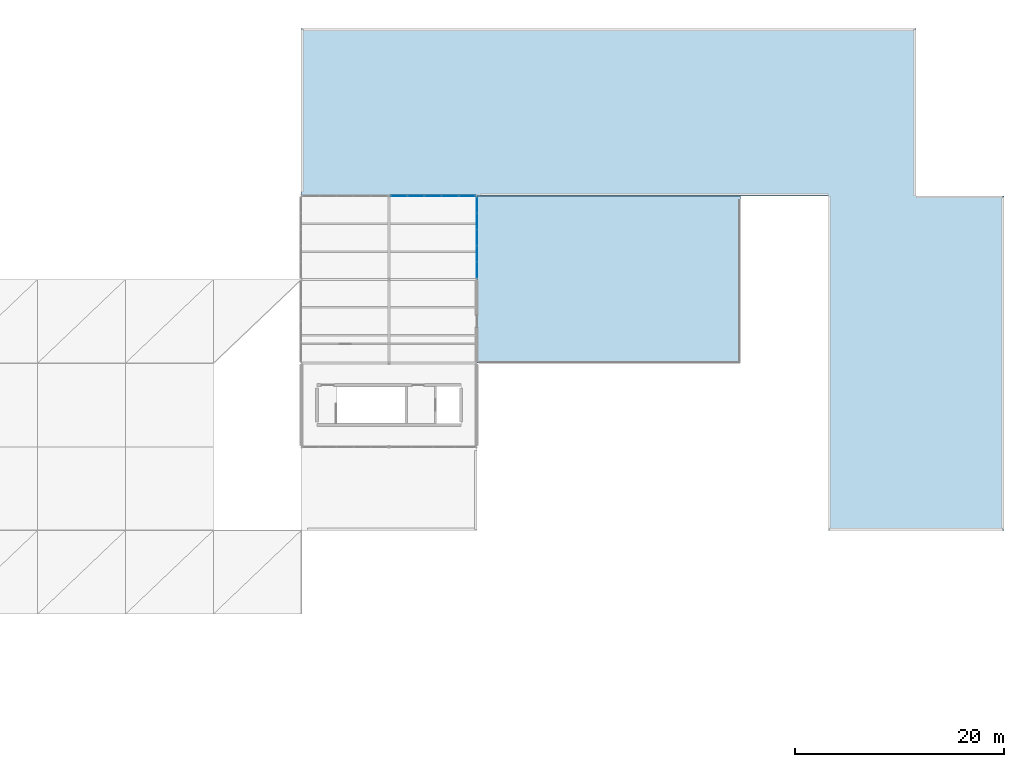
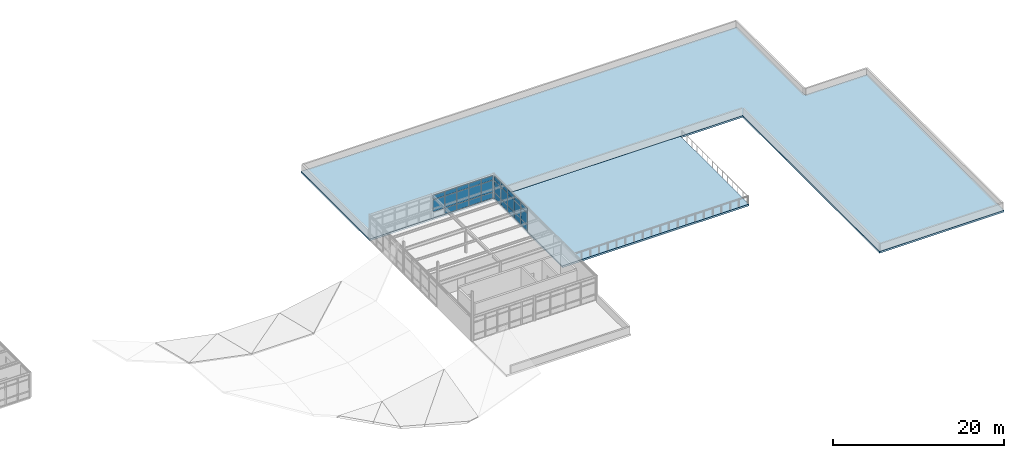
# One storey, part 22 of 32: 29 plates, 2 slabs, 2 elements without a shape of their own.
"""IFC4 building model written with IfcOpenShell, lengths in metres."""

from ifc_helpers import new_model, si_unit, direction, frame, origin, origin_2d, place, context, subcontext, project, spatial, polyline, rectangle, outline, extrude, material, layer, layer_set, type_object, element, aggregate, save


model = new_model("IFC4")

# Units and contexts
model_context = context("Model", 3, precision=1e-05, world=origin(), true_north=direction((0.0, 1.0)))
body_context = subcontext(model_context, "Body", "Model", "MODEL_VIEW")
ifc_project = project(units=[si_unit("LENGTHUNIT", "METRE"), si_unit("AREAUNIT", "SQUARE_METRE"), si_unit("VOLUMEUNIT", "CUBIC_METRE"), si_unit("PLANEANGLEUNIT", "RADIAN"), si_unit("MASSUNIT", "GRAM", prefix="KILO")], contexts=[model_context])

# Site, building, storey
site_placement = place(None, origin())
site = spatial("IfcSite", under=ifc_project, at=site_placement, CompositionType="ELEMENT")
building_placement = place(site_placement, origin())
building = spatial("IfcBuilding", under=site, at=building_placement, Name="Kranzveld Transit Interchange", CompositionType="ELEMENT")
storey_placement = place(building_placement, frame((0.0, 0.0, 17.199951171875)))
storey = spatial("IfcBuildingStorey", under=building, at=storey_placement, Name="L04", CompositionType="ELEMENT", Elevation=17.199951171875)

# Slab
ifc_material_1 = material(Name="Concrete C35/45", Category="concrete")
ifc_layer_1 = layer(ifc_material_1, 0.260009765625)
ifc_layer_set_1 = layer_set([ifc_layer_1], Name="Concrete C35/45")
slab_type_1 = type_object("IfcSlabType", Name="Community Roof Slab 260 C35/45", PredefinedType="ROOF", material=ifc_layer_set_1)
slab_1_placement = place(storey_placement, frame((0.0, 0.0, -0.260009765625)))
element("IfcSlab", 1, at=slab_1_placement, inside=storey, type_object=slab_type_1, Name="L04 Flat Roof Slab 3", PredefinedType="ROOF", context=body_context, shape_type="SweptSolid", body=[
    extrude(outline(polyline([(168.0, 64.0), (151.199951171875, 64.0), (151.199951171875, 96.0), (142.800048828125, 96.0), (117.60009765625, 96.0), (100.800048828125, 96.0), (100.800048828125, 112.0), (117.60009765625, 112.0), (159.60009765625, 112.0), (159.60009765625, 96.0), (168.0, 96.0), (168.0, 64.0)])), origin(), (0.0, 0.0, 1.0), 0.260009765625),
])

# Curtain wall, plates
ifc_material_2 = material(Name="Bronze-anodised thermally broken aluminium", Category="aluminium")
ifc_layer_2 = layer(ifc_material_2, 0.18505859375)
ifc_layer_set_2 = layer_set([ifc_layer_2], Name="Bronze-anodised thermally broken aluminium")
curtain_wall_type_1 = type_object("IfcCurtainWallType", Name="Control Crown Observation Facade CW-5", PredefinedType="USERDEFINED", material=ifc_layer_set_2)
curtain_wall_1_placement = place(storey_placement, origin())
curtain_wall_1 = element("IfcCurtainWall", 2, at=curtain_wall_1_placement, inside=storey, type_object=curtain_wall_type_1, Name="L04 Curtain Wall 14/N-15/N", ObjectType="CURTAIN WALL", PredefinedType="USERDEFINED")
ifc_material_3 = material(Name="Solar-control double glazing", Category="glass")
ifc_layer_3 = layer(ifc_material_3, 0.035888671875)
ifc_layer_set_3 = layer_set([ifc_layer_3], Name="Solar-control double glazing")
plate_type_1 = type_object("IfcPlateType", Name="Curtain Panel Triple Glazing 36", PredefinedType="CURTAIN_PANEL", material=ifc_layer_set_3)
plate_1_placement = place(storey_placement, frame((110.138671875, 96.0, 0.9326171875), z_axis=(0.0, 0.0, 1.0), x_axis=(1.0, 0.0, 0.0)))
plate_1 = element("IfcPlate", 3, at=plate_1_placement, type_object=plate_type_1, Name="CW-5 panel 1.2", PredefinedType="CURTAIN_PANEL", context=body_context, shape_type="SweptSolid", body=[
    extrude(rectangle(XDim=1.541259765625, YDim=0.035888671875, at=origin_2d()), origin(), (0.0, 0.0, 1.0), 1.6650390625),
])
plate_2_placement = place(storey_placement, frame((110.138671875, 96.0, 2.66259765625), z_axis=(0.0, 0.0, 1.0), x_axis=(1.0, 0.0, 0.0)))
plate_2 = element("IfcPlate", 4, at=plate_2_placement, type_object=plate_type_1, Name="CW-5 panel 1.3", PredefinedType="CURTAIN_PANEL", context=body_context, shape_type="SweptSolid", body=[
    extrude(rectangle(XDim=1.541259765625, YDim=0.035888671875, at=origin_2d()), origin(), (0.0, 0.0, 1.0), 0.6025390625),
])
plate_3_placement = place(storey_placement, frame((111.76123046875, 96.0, 0.06494140625), z_axis=(0.0, 0.0, 1.0), x_axis=(1.0, 0.0, 0.0)))
plate_3 = element("IfcPlate", 5, at=plate_3_placement, type_object=plate_type_1, Name="CW-5 panel 2.1", PredefinedType="CURTAIN_PANEL", context=body_context, shape_type="SweptSolid", body=[
    extrude(rectangle(XDim=1.57373046875, YDim=0.035888671875, at=origin_2d()), origin(), (0.0, 0.0, 1.0), 0.802490234375),
])
plate_4_placement = place(storey_placement, frame((111.76123046875, 96.0, 0.9326171875), z_axis=(0.0, 0.0, 1.0), x_axis=(1.0, 0.0, 0.0)))
plate_4 = element("IfcPlate", 6, at=plate_4_placement, type_object=plate_type_1, Name="CW-5 panel 2.2", PredefinedType="CURTAIN_PANEL", context=body_context, shape_type="SweptSolid", body=[
    extrude(rectangle(XDim=1.57373046875, YDim=0.035888671875, at=origin_2d()), origin(), (0.0, 0.0, 1.0), 1.6650390625),
])
plate_5_placement = place(storey_placement, frame((111.76123046875, 96.0, 2.66259765625), z_axis=(0.0, 0.0, 1.0), x_axis=(1.0, 0.0, 0.0)))
plate_5 = element("IfcPlate", 7, at=plate_5_placement, type_object=plate_type_1, Name="CW-5 panel 2.3", PredefinedType="CURTAIN_PANEL", context=body_context, shape_type="SweptSolid", body=[
    extrude(rectangle(XDim=1.57373046875, YDim=0.035888671875, at=origin_2d()), origin(), (0.0, 0.0, 1.0), 0.6025390625),
])
plate_6_placement = place(storey_placement, frame((113.39990234375, 96.0, 0.06494140625), z_axis=(0.0, 0.0, 1.0), x_axis=(1.0, 0.0, 0.0)))
plate_6 = element("IfcPlate", 8, at=plate_6_placement, type_object=plate_type_1, Name="CW-5 panel 3.1", PredefinedType="CURTAIN_PANEL", context=body_context, shape_type="SweptSolid", body=[
    extrude(rectangle(XDim=1.57373046875, YDim=0.035888671875, at=origin_2d()), origin(), (0.0, 0.0, 1.0), 0.802490234375),
])
plate_7_placement = place(storey_placement, frame((113.39990234375, 96.0, 0.9326171875), z_axis=(0.0, 0.0, 1.0), x_axis=(1.0, 0.0, 0.0)))
plate_7 = element("IfcPlate", 9, at=plate_7_placement, type_object=plate_type_1, Name="CW-5 panel 3.2", PredefinedType="CURTAIN_PANEL", context=body_context, shape_type="SweptSolid", body=[
    extrude(rectangle(XDim=1.57373046875, YDim=0.035888671875, at=origin_2d()), origin(), (0.0, 0.0, 1.0), 1.6650390625),
])
plate_8_placement = place(storey_placement, frame((113.39990234375, 96.0, 2.66259765625), z_axis=(0.0, 0.0, 1.0), x_axis=(1.0, 0.0, 0.0)))
plate_8 = element("IfcPlate", 10, at=plate_8_placement, type_object=plate_type_1, Name="CW-5 panel 3.3", PredefinedType="CURTAIN_PANEL", context=body_context, shape_type="SweptSolid", body=[
    extrude(rectangle(XDim=1.57373046875, YDim=0.035888671875, at=origin_2d()), origin(), (0.0, 0.0, 1.0), 0.6025390625),
])
plate_9_placement = place(storey_placement, frame((115.038818359375, 96.0, 0.06494140625), z_axis=(0.0, 0.0, 1.0), x_axis=(1.0, 0.0, 0.0)))
plate_9 = element("IfcPlate", 11, at=plate_9_placement, type_object=plate_type_1, Name="CW-5 panel 4.1", PredefinedType="CURTAIN_PANEL", context=body_context, shape_type="SweptSolid", body=[
    extrude(rectangle(XDim=1.57373046875, YDim=0.035888671875, at=origin_2d()), origin(), (0.0, 0.0, 1.0), 0.802490234375),
])
plate_10_placement = place(storey_placement, frame((115.038818359375, 96.0, 0.9326171875), z_axis=(0.0, 0.0, 1.0), x_axis=(1.0, 0.0, 0.0)))
plate_10 = element("IfcPlate", 12, at=plate_10_placement, type_object=plate_type_1, Name="CW-5 panel 4.2", PredefinedType="CURTAIN_PANEL", context=body_context, shape_type="SweptSolid", body=[
    extrude(rectangle(XDim=1.57373046875, YDim=0.035888671875, at=origin_2d()), origin(), (0.0, 0.0, 1.0), 1.6650390625),
])
plate_11_placement = place(storey_placement, frame((115.038818359375, 96.0, 2.66259765625), z_axis=(0.0, 0.0, 1.0), x_axis=(1.0, 0.0, 0.0)))
plate_11 = element("IfcPlate", 13, at=plate_11_placement, type_object=plate_type_1, Name="CW-5 panel 4.3", PredefinedType="CURTAIN_PANEL", context=body_context, shape_type="SweptSolid", body=[
    extrude(rectangle(XDim=1.57373046875, YDim=0.035888671875, at=origin_2d()), origin(), (0.0, 0.0, 1.0), 0.6025390625),
])
plate_12_placement = place(storey_placement, frame((116.661376953125, 96.0, 0.06494140625), z_axis=(0.0, 0.0, 1.0), x_axis=(1.0, 0.0, 0.0)))
plate_12 = element("IfcPlate", 14, at=plate_12_placement, type_object=plate_type_1, Name="CW-5 panel 5.1", PredefinedType="CURTAIN_PANEL", context=body_context, shape_type="SweptSolid", body=[
    extrude(rectangle(XDim=1.541259765625, YDim=0.035888671875, at=origin_2d()), origin(), (0.0, 0.0, 1.0), 0.802490234375),
])
plate_13_placement = place(storey_placement, frame((116.661376953125, 96.0, 0.9326171875), z_axis=(0.0, 0.0, 1.0), x_axis=(1.0, 0.0, 0.0)))
plate_13 = element("IfcPlate", 15, at=plate_13_placement, type_object=plate_type_1, Name="CW-5 panel 5.2", PredefinedType="CURTAIN_PANEL", context=body_context, shape_type="SweptSolid", body=[
    extrude(rectangle(XDim=1.541259765625, YDim=0.035888671875, at=origin_2d()), origin(), (0.0, 0.0, 1.0), 1.6650390625),
])
plate_14_placement = place(storey_placement, frame((116.661376953125, 96.0, 2.66259765625), z_axis=(0.0, 0.0, 1.0), x_axis=(1.0, 0.0, 0.0)))
plate_14 = element("IfcPlate", 16, at=plate_14_placement, type_object=plate_type_1, Name="CW-5 panel 5.3", PredefinedType="CURTAIN_PANEL", context=body_context, shape_type="SweptSolid", body=[
    extrude(rectangle(XDim=1.541259765625, YDim=0.035888671875, at=origin_2d()), origin(), (0.0, 0.0, 1.0), 0.6025390625),
])
aggregate(curtain_wall_1, [plate_1, plate_2, plate_3, plate_4, plate_5, plate_6, plate_7, plate_8, plate_9, plate_10, plate_11, plate_12, plate_13, plate_14])

ifc_material_4 = material(Name="Bronze-anodised thermally broken aluminium", Category="aluminium")
ifc_layer_4 = layer(ifc_material_4, 0.155029296875)
ifc_layer_set_4 = layer_set([ifc_layer_4], Name="Bronze-anodised thermally broken aluminium")
curtain_wall_type_2 = type_object("IfcCurtainWallType", Name="Operations Courtyard Glazed Screen CW-6", PredefinedType="USERDEFINED", material=ifc_layer_set_4)
curtain_wall_2_placement = place(storey_placement, origin())
curtain_wall_2 = element("IfcCurtainWall", 17, at=curtain_wall_2_placement, inside=storey, type_object=curtain_wall_type_2, Name="L04 Curtain Wall 15/M-15/N", ObjectType="CURTAIN WALL", PredefinedType="USERDEFINED")
ifc_material_5 = material(Name="Ochre Pretoria sandstone cladding, 45 MPa", Category="masonry")
ifc_layer_5 = layer(ifc_material_5, 0.0458984375)
ifc_layer_set_5 = layer_set([ifc_layer_5], Name="Ochre Pretoria sandstone cladding, 45 MPa")
plate_type_2 = type_object("IfcPlateType", Name="Curtain Spandrel Sandstone 46", PredefinedType="CURTAIN_PANEL", material=ifc_layer_set_5)
plate_15_placement = place(storey_placement, frame((117.60009765625, 88.900146484375, 0.06005859375), z_axis=(0.0, 0.0, 1.0), x_axis=(0.0, 1.0, 0.0)))
plate_15 = element("IfcPlate", 18, at=plate_15_placement, type_object=plate_type_2, Name="CW-6 panel 1.1", PredefinedType="CURTAIN_PANEL", context=body_context, shape_type="SweptSolid", body=[
    extrude(rectangle(XDim=1.460693359375, YDim=0.0458984375, at=origin_2d()), origin(), (0.0, 0.0, 1.0), 0.81005859375),
])
plate_16_placement = place(storey_placement, frame((117.60009765625, 88.900146484375, 0.93017578125), z_axis=(0.0, 0.0, 1.0), x_axis=(0.0, 1.0, 0.0)))
plate_16 = element("IfcPlate", 19, at=plate_16_placement, type_object=plate_type_2, Name="CW-6 panel 1.2", PredefinedType="CURTAIN_PANEL", context=body_context, shape_type="SweptSolid", body=[
    extrude(rectangle(XDim=1.460693359375, YDim=0.0458984375, at=origin_2d()), origin(), (0.0, 0.0, 1.0), 1.6298828125),
])
plate_17_placement = place(storey_placement, frame((117.60009765625, 88.900146484375, 2.6201171875), z_axis=(0.0, 0.0, 1.0), x_axis=(0.0, 1.0, 0.0)))
plate_17 = element("IfcPlate", 20, at=plate_17_placement, type_object=plate_type_2, Name="CW-6 panel 1.3", PredefinedType="CURTAIN_PANEL", context=body_context, shape_type="SweptSolid", body=[
    extrude(rectangle(XDim=1.460693359375, YDim=0.0458984375, at=origin_2d()), origin(), (0.0, 0.0, 1.0), 0.610107421875),
])
plate_18_placement = place(storey_placement, frame((117.60009765625, 90.44189453125, 0.06005859375), z_axis=(0.0, 0.0, 1.0), x_axis=(0.0, 1.0, 0.0)))
plate_18 = element("IfcPlate", 21, at=plate_18_placement, type_object=plate_type_2, Name="CW-6 panel 2.1", PredefinedType="CURTAIN_PANEL", context=body_context, shape_type="SweptSolid", body=[
    extrude(rectangle(XDim=1.4931640625, YDim=0.0458984375, at=origin_2d()), origin(), (0.0, 0.0, 1.0), 0.81005859375),
])
plate_19_placement = place(storey_placement, frame((117.60009765625, 90.44189453125, 0.93017578125), z_axis=(0.0, 0.0, 1.0), x_axis=(0.0, 1.0, 0.0)))
plate_19 = element("IfcPlate", 22, at=plate_19_placement, type_object=plate_type_2, Name="CW-6 panel 2.2", PredefinedType="CURTAIN_PANEL", context=body_context, shape_type="SweptSolid", body=[
    extrude(rectangle(XDim=1.4931640625, YDim=0.0458984375, at=origin_2d()), origin(), (0.0, 0.0, 1.0), 1.6298828125),
])
plate_20_placement = place(storey_placement, frame((117.60009765625, 90.44189453125, 2.6201171875), z_axis=(0.0, 0.0, 1.0), x_axis=(0.0, 1.0, 0.0)))
plate_20 = element("IfcPlate", 23, at=plate_20_placement, type_object=plate_type_2, Name="CW-6 panel 2.3", PredefinedType="CURTAIN_PANEL", context=body_context, shape_type="SweptSolid", body=[
    extrude(rectangle(XDim=1.4931640625, YDim=0.0458984375, at=origin_2d()), origin(), (0.0, 0.0, 1.0), 0.610107421875),
])
plate_21_placement = place(storey_placement, frame((117.60009765625, 92.0, 0.06005859375), z_axis=(0.0, 0.0, 1.0), x_axis=(0.0, 1.0, 0.0)))
plate_21 = element("IfcPlate", 24, at=plate_21_placement, type_object=plate_type_2, Name="CW-6 panel 3.1", PredefinedType="CURTAIN_PANEL", context=body_context, shape_type="SweptSolid", body=[
    extrude(rectangle(XDim=1.4931640625, YDim=0.0458984375, at=origin_2d()), origin(), (0.0, 0.0, 1.0), 0.81005859375),
])
plate_22_placement = place(storey_placement, frame((117.60009765625, 92.0, 0.93017578125), z_axis=(0.0, 0.0, 1.0), x_axis=(0.0, 1.0, 0.0)))
plate_22 = element("IfcPlate", 25, at=plate_22_placement, type_object=plate_type_2, Name="CW-6 panel 3.2", PredefinedType="CURTAIN_PANEL", context=body_context, shape_type="SweptSolid", body=[
    extrude(rectangle(XDim=1.4931640625, YDim=0.0458984375, at=origin_2d()), origin(), (0.0, 0.0, 1.0), 1.6298828125),
])
plate_23_placement = place(storey_placement, frame((117.60009765625, 92.0, 2.6201171875), z_axis=(0.0, 0.0, 1.0), x_axis=(0.0, 1.0, 0.0)))
plate_23 = element("IfcPlate", 26, at=plate_23_placement, type_object=plate_type_2, Name="CW-6 panel 3.3", PredefinedType="CURTAIN_PANEL", context=body_context, shape_type="SweptSolid", body=[
    extrude(rectangle(XDim=1.4931640625, YDim=0.0458984375, at=origin_2d()), origin(), (0.0, 0.0, 1.0), 0.610107421875),
])
plate_24_placement = place(storey_placement, frame((117.60009765625, 93.55810546875, 0.06005859375), z_axis=(0.0, 0.0, 1.0), x_axis=(0.0, 1.0, 0.0)))
plate_24 = element("IfcPlate", 27, at=plate_24_placement, type_object=plate_type_2, Name="CW-6 panel 4.1", PredefinedType="CURTAIN_PANEL", context=body_context, shape_type="SweptSolid", body=[
    extrude(rectangle(XDim=1.4931640625, YDim=0.0458984375, at=origin_2d()), origin(), (0.0, 0.0, 1.0), 0.81005859375),
])
plate_25_placement = place(storey_placement, frame((117.60009765625, 93.55810546875, 0.93017578125), z_axis=(0.0, 0.0, 1.0), x_axis=(0.0, 1.0, 0.0)))
plate_25 = element("IfcPlate", 28, at=plate_25_placement, type_object=plate_type_2, Name="CW-6 panel 4.2", PredefinedType="CURTAIN_PANEL", context=body_context, shape_type="SweptSolid", body=[
    extrude(rectangle(XDim=1.4931640625, YDim=0.0458984375, at=origin_2d()), origin(), (0.0, 0.0, 1.0), 1.6298828125),
])
plate_26_placement = place(storey_placement, frame((117.60009765625, 93.55810546875, 2.6201171875), z_axis=(0.0, 0.0, 1.0), x_axis=(0.0, 1.0, 0.0)))
plate_26 = element("IfcPlate", 29, at=plate_26_placement, type_object=plate_type_2, Name="CW-6 panel 4.3", PredefinedType="CURTAIN_PANEL", context=body_context, shape_type="SweptSolid", body=[
    extrude(rectangle(XDim=1.4931640625, YDim=0.0458984375, at=origin_2d()), origin(), (0.0, 0.0, 1.0), 0.610107421875),
])
plate_27_placement = place(storey_placement, frame((117.60009765625, 95.099853515625, 0.06005859375), z_axis=(0.0, 0.0, 1.0), x_axis=(0.0, 1.0, 0.0)))
plate_27 = element("IfcPlate", 30, at=plate_27_placement, type_object=plate_type_2, Name="CW-6 panel 5.1", PredefinedType="CURTAIN_PANEL", context=body_context, shape_type="SweptSolid", body=[
    extrude(rectangle(XDim=1.460693359375, YDim=0.0458984375, at=origin_2d()), origin(), (0.0, 0.0, 1.0), 0.81005859375),
])
plate_28_placement = place(storey_placement, frame((117.60009765625, 95.099853515625, 0.93017578125), z_axis=(0.0, 0.0, 1.0), x_axis=(0.0, 1.0, 0.0)))
plate_28 = element("IfcPlate", 31, at=plate_28_placement, type_object=plate_type_2, Name="CW-6 panel 5.2", PredefinedType="CURTAIN_PANEL", context=body_context, shape_type="SweptSolid", body=[
    extrude(rectangle(XDim=1.460693359375, YDim=0.0458984375, at=origin_2d()), origin(), (0.0, 0.0, 1.0), 1.6298828125),
])
plate_29_placement = place(storey_placement, frame((117.60009765625, 95.099853515625, 2.6201171875), z_axis=(0.0, 0.0, 1.0), x_axis=(0.0, 1.0, 0.0)))
plate_29 = element("IfcPlate", 32, at=plate_29_placement, type_object=plate_type_2, Name="CW-6 panel 5.3", PredefinedType="CURTAIN_PANEL", context=body_context, shape_type="SweptSolid", body=[
    extrude(rectangle(XDim=1.460693359375, YDim=0.0458984375, at=origin_2d()), origin(), (0.0, 0.0, 1.0), 0.610107421875),
])
aggregate(curtain_wall_2, [plate_15, plate_16, plate_17, plate_18, plate_19, plate_20, plate_21, plate_22, plate_23, plate_24, plate_25, plate_26, plate_27, plate_28, plate_29])

# Slab
ifc_material_6 = material(Name="Concrete C35/45", Category="concrete")
ifc_layer_6 = layer(ifc_material_6, 0.260009765625)
ifc_layer_set_6 = layer_set([ifc_layer_6], Name="Concrete C35/45")
slab_type_2 = type_object("IfcSlabType", Name="Garden Terrace Slab 260 C35/45", PredefinedType="FLOOR", material=ifc_layer_set_6)
slab_2_placement = place(storey_placement, frame((0.0, 0.0, -0.260009765625)))
element("IfcSlab", 33, at=slab_2_placement, inside=storey, type_object=slab_type_2, Name="L04 Walkable Terrace TERR_L04_V4G", PredefinedType="FLOOR", context=body_context, shape_type="SweptSolid", body=[
    extrude(outline(polyline([(142.800048828125, 80.0), (142.800048828125, 96.0), (117.60009765625, 96.0), (117.60009765625, 80.0), (142.800048828125, 80.0)])), origin(), (0.0, 0.0, 1.0), 0.260009765625),
])

save(model, "model.ifc")
